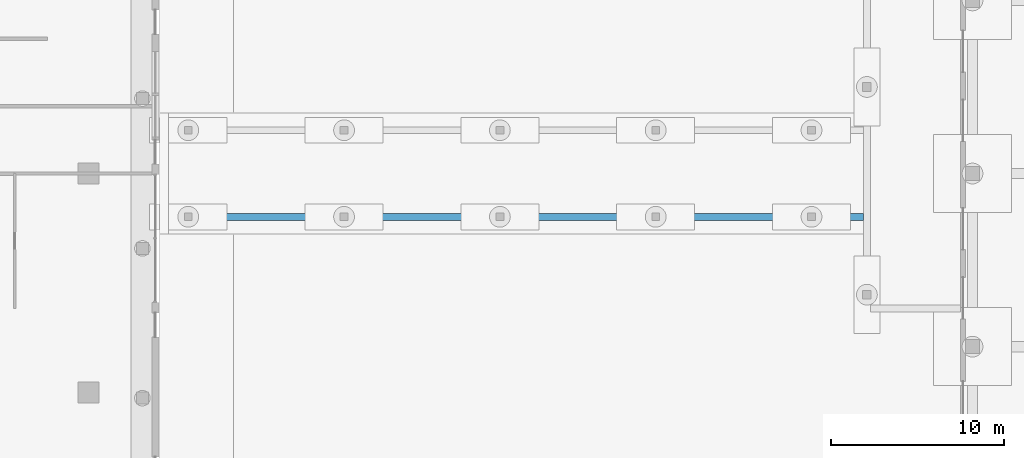
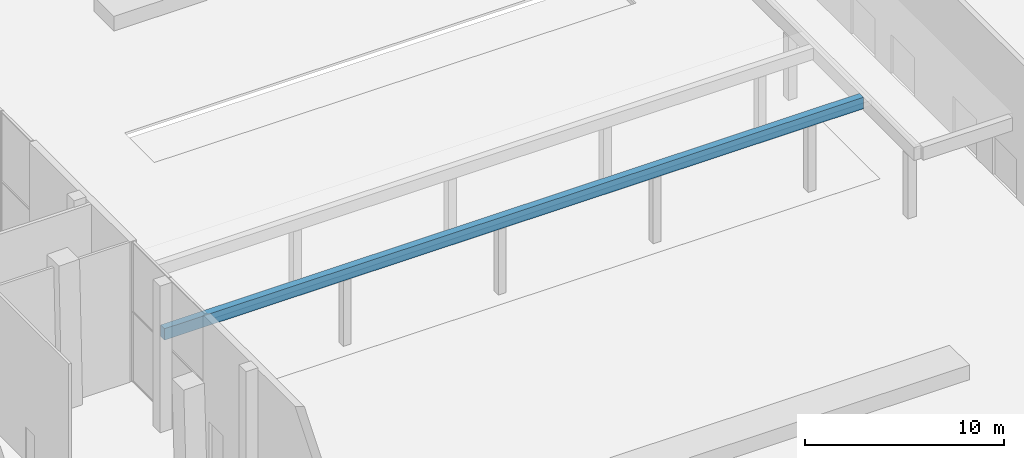
# One storey, part 14 of 63: 1 beam.
"""IFC4 building model written with IfcOpenShell, lengths in metres."""

from ifc_helpers import new_model, si_unit, direction, frame, origin, origin_2d, place, context, subcontext, project, spatial, rectangle, extrude, material, material_profile, profile_set, type_object, element, save


model = new_model("IFC4")

# Units and contexts
model_context = context("Model", 3, precision=1e-05, world=origin(), true_north=direction((0.0, 1.0)))
body_context = subcontext(model_context, "Body", "Model", "MODEL_VIEW")
ifc_project = project(units=[si_unit("LENGTHUNIT", "METRE"), si_unit("AREAUNIT", "SQUARE_METRE"), si_unit("VOLUMEUNIT", "CUBIC_METRE"), si_unit("PLANEANGLEUNIT", "RADIAN"), si_unit("MASSUNIT", "GRAM", prefix="KILO")], contexts=[model_context])

# Site, building, storey
site_placement = place(None, origin())
site = spatial("IfcSite", under=ifc_project, at=site_placement, CompositionType="ELEMENT")
building_placement = place(site_placement, origin())
building = spatial("IfcBuilding", under=site, at=building_placement, Name="Jabali Bay Hotel Tower and Convention Centre", CompositionType="ELEMENT")
storey_placement = place(building_placement, origin())
storey = spatial("IfcBuildingStorey", under=building, at=storey_placement, Name="L00", CompositionType="ELEMENT", Elevation=0.0)

# Beam
ifc_material = material(Name="Concrete C40", Category="concrete")
ifc_material_profile = material_profile(ifc_material, rectangle(XDim=0.39990234375, YDim=0.699951171875, at=origin_2d()), Name="RC 400x700")
ifc_profile_set = profile_set([ifc_material_profile], Name="Concrete C40")
beam_type = type_object("IfcBeamType", Name="SI Colonnade Beam 400x700", PredefinedType="BEAM", material=ifc_profile_set)
beam_placement = place(storey_placement, frame((103.800048828125, 77.5, 4.35009765625), z_axis=(1.0, 0.0, 0.0), x_axis=(0.0, 1.0, 0.0)))
element("IfcBeam", 1, at=beam_placement, inside=storey, type_object=beam_type, Name="SI colonnade beam 1", PredefinedType="BEAM", context=body_context, shape_type="SweptSolid", body=[
    extrude(rectangle(XDim=0.39990234375, YDim=0.699951171875, at=origin_2d()), origin(), (0.0, 0.0, 1.0), 40.599853515625),
])

save(model, "model.ifc")
